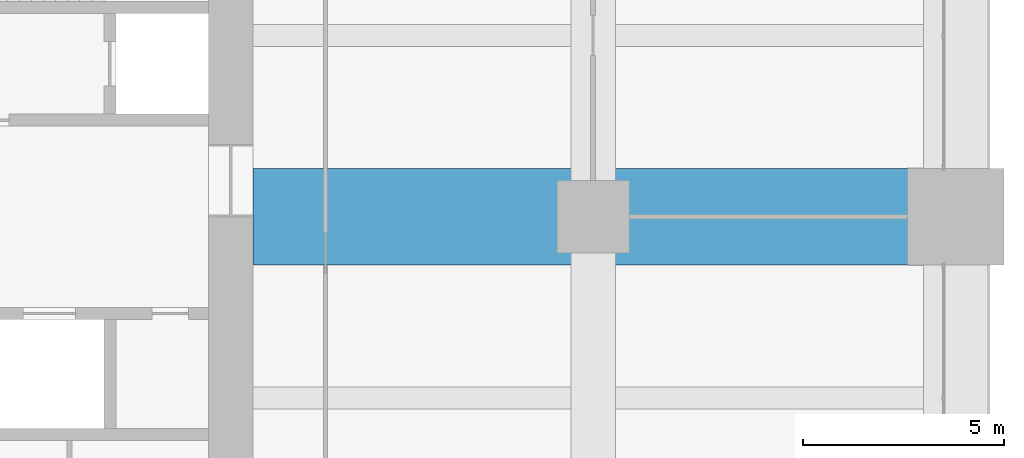
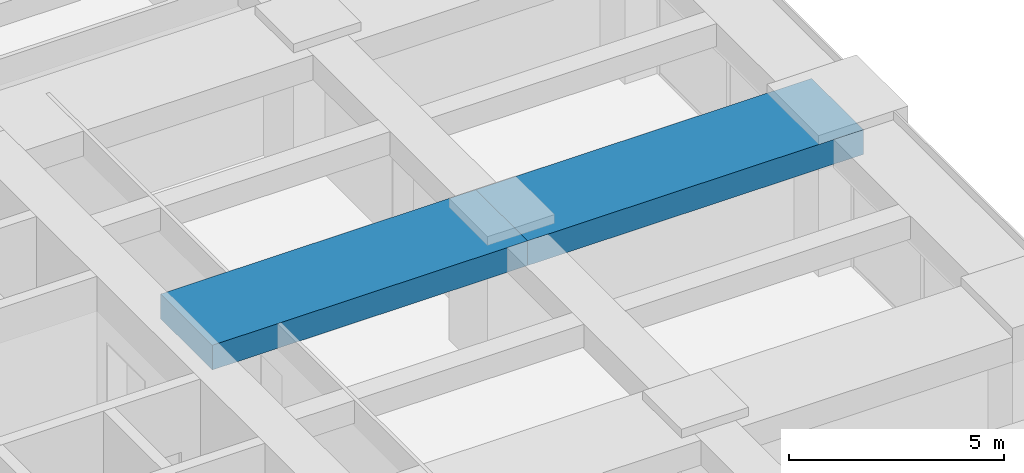
# One storey, part 22 of 43: 2 beams.
"""IFC4 building model written with IfcOpenShell, lengths in metres."""

from ifc_helpers import new_model, si_unit, direction, frame, origin, origin_2d, place, context, subcontext, project, spatial, rectangle, extrude, material, material_profile, profile_set, type_object, element, save


model = new_model("IFC4")

# Units and contexts
model_context = context("Model", 3, precision=1e-05, world=origin(), true_north=direction((0.0, 1.0)))
body_context = subcontext(model_context, "Body", "Model", "MODEL_VIEW")
ifc_project = project(units=[si_unit("LENGTHUNIT", "METRE"), si_unit("AREAUNIT", "SQUARE_METRE"), si_unit("VOLUMEUNIT", "CUBIC_METRE"), si_unit("PLANEANGLEUNIT", "RADIAN"), si_unit("MASSUNIT", "GRAM", prefix="KILO")], contexts=[model_context])

# Site, building, storey
site_placement = place(None, origin())
site = spatial("IfcSite", under=ifc_project, at=site_placement, CompositionType="ELEMENT")
building_placement = place(site_placement, origin())
building = spatial("IfcBuilding", under=site, at=building_placement, Name="Zorevar Civic Tower", CompositionType="ELEMENT")
storey_placement = place(building_placement, frame((0.0, 0.0, 145.0)))
storey = spatial("IfcBuildingStorey", under=building, at=storey_placement, Name="L35", CompositionType="ELEMENT", Elevation=145.0)

# Beams
ifc_material = material(Name="Concrete C50/60", Category="concrete")
ifc_material_profile = material_profile(ifc_material, rectangle(XDim=2.39990234375, YDim=0.699951171875, at=origin_2d()), Name="RC 2400x700")
ifc_profile_set = profile_set([ifc_material_profile], Name="Concrete C50/60")
beam_type = type_object("IfcBeamType", Name="Beam RC 2400x700", PredefinedType="BEAM", material=ifc_profile_set)
beam_1_placement = place(storey_placement, frame((45.550048828125, 27.0, 3.39990234375), z_axis=(1.0, 0.0, 0.0), x_axis=(0.0, 1.0, 0.0)))
element("IfcBeam", 1, at=beam_1_placement, inside=storey, type_object=beam_type, Name="Girder L36", PredefinedType="BEAM", context=body_context, shape_type="SweptSolid", body=[
    extrude(rectangle(XDim=2.39990234375, YDim=0.699951171875, at=origin_2d()), origin(), (0.0, 0.0, 1.0), 8.449951171875),
])
beam_2_placement = place(storey_placement, frame((54.0, 27.0, 3.39990234375), z_axis=(1.0, 0.0, 0.0), x_axis=(0.0, 1.0, 0.0)))
element("IfcBeam", 2, at=beam_2_placement, inside=storey, type_object=beam_type, Name="Girder L36", PredefinedType="BEAM", context=body_context, shape_type="SweptSolid", body=[
    extrude(rectangle(XDim=2.39990234375, YDim=0.699951171875, at=origin_2d()), origin(), (0.0, 0.0, 1.0), 9.0),
])

save(model, "model.ifc")
